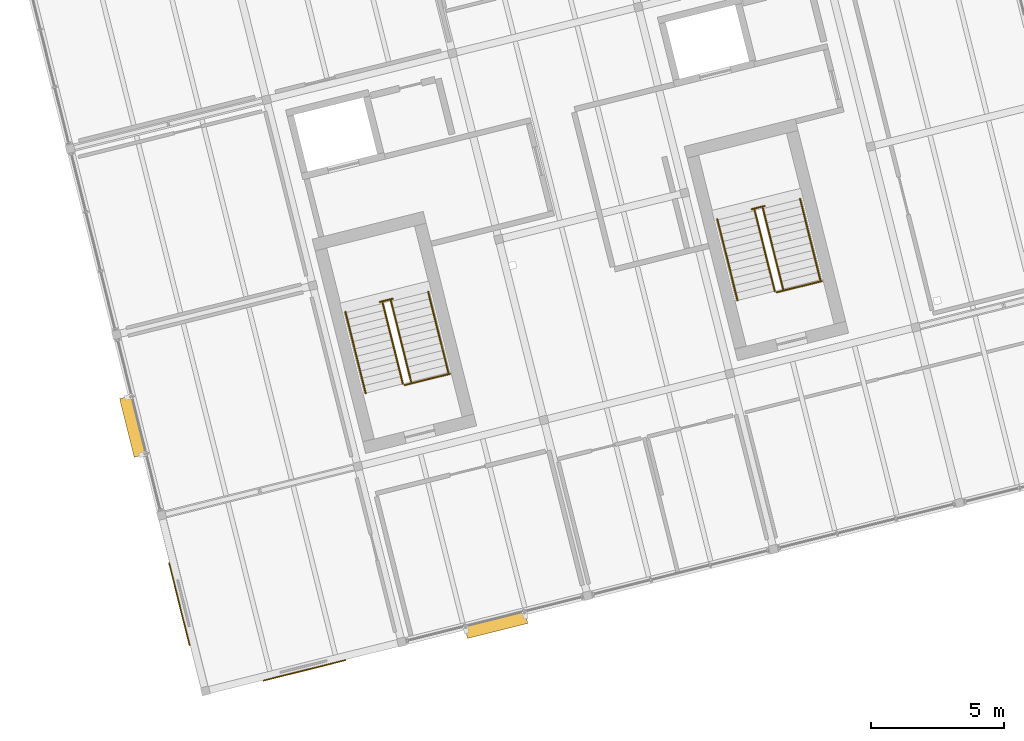
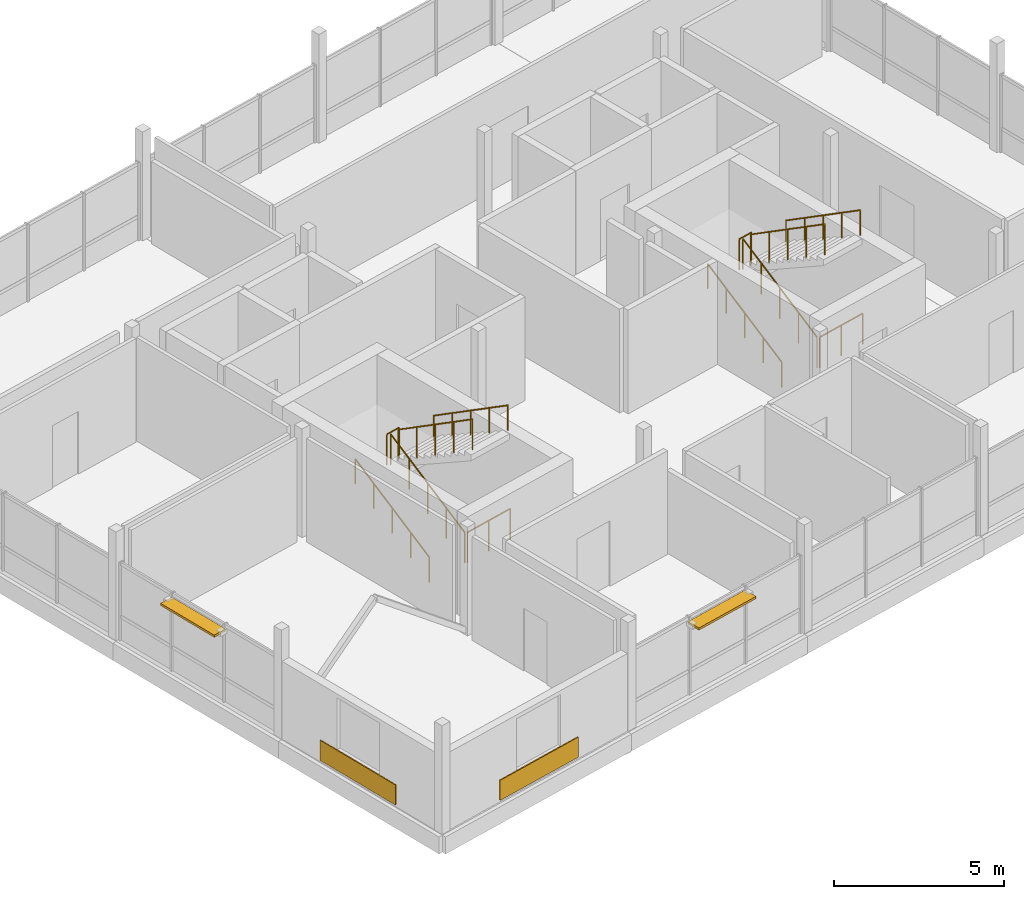
# One storey, part 25 of 25: 12 railings, 2 coverings, 2 shading devices.
"""IFC4 building model written with IfcOpenShell, lengths in metres."""

from ifc_helpers import new_model, si_unit, direction, frame, origin, origin_2d, place, context, subcontext, project, spatial, rectangle, circle, extrude, material, layer, layer_set, type_object, element, save


model = new_model("IFC4")

# Units and contexts
model_context = context("Model", 3, precision=1e-05, world=origin(), true_north=direction((0.0, 1.0)))
body_context = subcontext(model_context, "Body", "Model", "MODEL_VIEW")
ifc_project = project(units=[si_unit("LENGTHUNIT", "METRE"), si_unit("AREAUNIT", "SQUARE_METRE"), si_unit("VOLUMEUNIT", "CUBIC_METRE"), si_unit("PLANEANGLEUNIT", "RADIAN"), si_unit("MASSUNIT", "GRAM", prefix="KILO")], contexts=[model_context])

# Site, building, storey
site_placement = place(None, origin())
site = spatial("IfcSite", under=ifc_project, at=site_placement, CompositionType="ELEMENT")
building_placement = place(site_placement, origin())
building = spatial("IfcBuilding", under=site, at=building_placement, Name="Meriwether Solvik Hall", CompositionType="ELEMENT")
storey_placement = place(building_placement, frame((0.0, 0.0, 49.5)))
storey = spatial("IfcBuildingStorey", under=building, at=storey_placement, Name="L12", CompositionType="ELEMENT", Elevation=49.5)

# Coverings
ifc_material_1 = material(Name="Acetylated Charred Western Red Cedar Timber", Category="wood")
ifc_layer_1 = layer(ifc_material_1, 0.0400390625)
ifc_layer_set_1 = layer_set([ifc_layer_1], Name="Acetylated Charred Western Red Cedar Timber")
covering_type = type_object("IfcCoveringType", Name="COV-CLAD-TIMB", PredefinedType="CLADDING", material=ifc_layer_set_1)
for number, where, z_axis, x_axis, name in (
    (1, (72.323486328125, 41.973876953125, 0.080078125), (0.0, 0.0, 1.0), (-0.970295720361, -0.241921919325, 0.0), "L12 Charred Cedar Cladding 1.0"),
    (2, (67.622314453125, 44.460205078125, 0.080078125), (0.0, 0.0, 1.0), (-0.241921830705, 0.970295742456, 0.0), "L12 Charred Cedar Cladding 4.0"),
):
    element("IfcCovering", number, at=place(storey_placement, frame(where, z_axis=z_axis, x_axis=x_axis)), inside=storey, type_object=covering_type, Name=name, PredefinedType="CLADDING", context=body_context, shape_type="SweptSolid", body=[
        extrude(rectangle(XDim=3.199951171875, YDim=0.0400390625, at=origin_2d()), origin(), (0.0, 0.0, 1.0), 0.719970703125),
    ])

# Railings
ifc_material_2 = material(Name="Steel A36 Galvanised", Category="steel")
ifc_layer_2 = layer(ifc_material_2, 0.054931640625)
ifc_layer_set_2 = layer_set([ifc_layer_2], Name="Steel A36 Galvanised")
railing_type_1 = type_object("IfcRailingType", Name="RAIL-STR-GUARD", PredefinedType="GUARDRAIL", material=ifc_layer_set_2)
railing_1_placement = place(storey_placement, frame((75.158935546875, 55.81591796875, 1.949951171875)))
element("IfcRailing", 3, at=railing_1_placement, inside=storey, type_object=railing_type_1, Name="Stair ST-01 Landing Guardrail (L12)", PredefinedType="GUARDRAIL", context=body_context, shape_type="SweptSolid", body=[
    extrude(circle(Radius=0.02392578125, at=origin_2d()), frame((0.0, 0.0, 1.09619140625), z_axis=(0.970343250308, 0.241731207299, 0.0), x_axis=(-0.241731207299, 0.970343250308, 0.0)), (0.0, 0.0, 1.0), 0.5),
    extrude(circle(Radius=0.02099609375, at=origin_2d()), origin(), (0.0, 0.0, 1.0), 1.072021484375),
    extrude(circle(Radius=0.02099609375, at=origin_2d()), frame((0.485107421875, 0.120849609375, 0.0)), (0.0, 0.0, 1.0), 1.072021484375),
])
railing_2_placement = place(storey_placement, frame((76.092041015625, 52.69384765625, 0.0)))
element("IfcRailing", 4, at=railing_2_placement, inside=storey, type_object=railing_type_1, Name="Stair ST-01 Well Guardrail (L12)", PredefinedType="GUARDRAIL", context=body_context, shape_type="SweptSolid", body=[
    extrude(circle(Radius=0.02392578125, at=origin_2d()), frame((0.0, 0.0, 1.09619140625), z_axis=(0.970298223594, 0.241911879182, 0.0), x_axis=(-0.241911879182, 0.970298223594, 0.0)), (0.0, 0.0, 1.0), 1.75),
    extrude(circle(Radius=0.02099609375, at=origin_2d()), origin(), (0.0, 0.0, 1.0), 1.072021484375),
    extrude(circle(Radius=0.02099609375, at=origin_2d()), frame((0.84912109375, 0.211669921875, 0.0)), (0.0, 0.0, 1.0), 1.072021484375),
    extrude(circle(Radius=0.02099609375, at=origin_2d()), frame((1.697998046875, 0.42333984375, 0.0)), (0.0, 0.0, 1.0), 1.072021484375),
])
railing_3_placement = place(storey_placement, frame((76.019287109375, 52.737548828125, 0.0)))
element("IfcRailing", 5, at=railing_3_placement, inside=storey, type_object=railing_type_1, Name="Stair ST-01 Flight 1 Inner Guardrail (L12)", PredefinedType="GUARDRAIL", context=body_context, shape_type="SweptSolid", body=[
    extrude(circle(Radius=0.02392578125, at=origin_2d()), frame((0.0, 0.0, 1.09619140625), z_axis=(-0.205452207734, 0.823924849814, 0.528145086313), x_axis=(-0.970288906122, -0.2419492481, 0.0)), (0.0, 0.0, 1.0), 3.692138671875),
    extrude(circle(Radius=0.02099609375, at=origin_2d()), origin(), (0.0, 0.0, 1.0), 1.072021484375),
    extrude(circle(Radius=0.02099609375, at=origin_2d()), frame((-0.189697265625, 0.760498046875, 0.487548828125)), (0.0, 0.0, 1.0), 1.072021484375),
    extrude(circle(Radius=0.02099609375, at=origin_2d()), frame((-0.37939453125, 1.52099609375, 0.97509765625)), (0.0, 0.0, 1.0), 1.072021484375),
    extrude(circle(Radius=0.02099609375, at=origin_2d()), frame((-0.56884765625, 2.281494140625, 1.46240234375)), (0.0, 0.0, 1.0), 1.072021484375),
    extrude(circle(Radius=0.02099609375, at=origin_2d()), frame((-0.758544921875, 3.0419921875, 1.949951171875)), (0.0, 0.0, 1.0), 1.072021484375),
])
railing_4_placement = place(storey_placement, frame((75.5712890625, 55.85693359375, 1.949951171875)))
element("IfcRailing", 6, at=railing_4_placement, inside=storey, type_object=railing_type_1, Name="Stair ST-01 Flight 2 Inner Guardrail (L12)", PredefinedType="GUARDRAIL", context=body_context, shape_type="SweptSolid", body=[
    extrude(circle(Radius=0.02392578125, at=origin_2d()), frame((0.0, 0.0, 1.09619140625), z_axis=(0.205388872055, -0.823936041794, 0.528152260498), x_axis=(0.970307185051, 0.241875932325, 0.0)), (0.0, 0.0, 1.0), 3.692138671875),
    extrude(circle(Radius=0.02099609375, at=origin_2d()), origin(), (0.0, 0.0, 1.0), 1.072021484375),
    extrude(circle(Radius=0.02099609375, at=origin_2d()), frame((0.189453125, -0.760498046875, 0.487548828125)), (0.0, 0.0, 1.0), 1.072021484375),
    extrude(circle(Radius=0.02099609375, at=origin_2d()), frame((0.379150390625, -1.52099609375, 0.97509765625)), (0.0, 0.0, 1.0), 1.072021484375),
    extrude(circle(Radius=0.02099609375, at=origin_2d()), frame((0.56884765625, -2.281494140625, 1.46240234375)), (0.0, 0.0, 1.0), 1.072021484375),
    extrude(circle(Radius=0.02099609375, at=origin_2d()), frame((0.75830078125, -3.0419921875, 1.949951171875)), (0.0, 0.0, 1.0), 1.072021484375),
])
railing_5_placement = place(storey_placement, frame((89.131103515625, 59.299560546875, 1.949951171875)))
element("IfcRailing", 7, at=railing_5_placement, inside=storey, type_object=railing_type_1, Name="Stair ST-02 Landing Guardrail (L12)", PredefinedType="GUARDRAIL", context=body_context, shape_type="SweptSolid", body=[
    extrude(circle(Radius=0.02392578125, at=origin_2d()), frame((0.0, 0.0, 1.09619140625), z_axis=(0.970228607419, 0.242190935722, 0.0), x_axis=(-0.242190935722, 0.970228607419, 0.0)), (0.0, 0.0, 1.0), 0.5),
    extrude(circle(Radius=0.02099609375, at=origin_2d()), origin(), (0.0, 0.0, 1.0), 1.072021484375),
    extrude(circle(Radius=0.02099609375, at=origin_2d()), frame((0.485107421875, 0.12109375, 0.0)), (0.0, 0.0, 1.0), 1.072021484375),
])
railing_6_placement = place(storey_placement, frame((90.064208984375, 56.177490234375, 0.0)))
element("IfcRailing", 8, at=railing_6_placement, inside=storey, type_object=railing_type_1, Name="Stair ST-02 Well Guardrail (L12)", PredefinedType="GUARDRAIL", context=body_context, shape_type="SweptSolid", body=[
    extrude(circle(Radius=0.02392578125, at=origin_2d()), frame((0.0, 0.0, 1.09619140625), z_axis=(0.970298223594, 0.241911879182, 0.0), x_axis=(-0.241911879182, 0.970298223594, 0.0)), (0.0, 0.0, 1.0), 1.75),
    extrude(circle(Radius=0.02099609375, at=origin_2d()), origin(), (0.0, 0.0, 1.0), 1.072021484375),
    extrude(circle(Radius=0.02099609375, at=origin_2d()), frame((0.84912109375, 0.211669921875, 0.0)), (0.0, 0.0, 1.0), 1.072021484375),
    extrude(circle(Radius=0.02099609375, at=origin_2d()), frame((1.697998046875, 0.42333984375, 0.0)), (0.0, 0.0, 1.0), 1.072021484375),
])
railing_7_placement = place(storey_placement, frame((89.991455078125, 56.22119140625, 0.0)))
element("IfcRailing", 9, at=railing_7_placement, inside=storey, type_object=railing_type_1, Name="Stair ST-02 Flight 1 Inner Guardrail (L12)", PredefinedType="GUARDRAIL", context=body_context, shape_type="SweptSolid", body=[
    extrude(circle(Radius=0.02392578125, at=origin_2d()), frame((0.0, 0.0, 1.09619140625), z_axis=(-0.205452207734, 0.823924849814, 0.528145086313), x_axis=(-0.970288906122, -0.2419492481, 0.0)), (0.0, 0.0, 1.0), 3.692138671875),
    extrude(circle(Radius=0.02099609375, at=origin_2d()), origin(), (0.0, 0.0, 1.0), 1.072021484375),
    extrude(circle(Radius=0.02099609375, at=origin_2d()), frame((-0.189697265625, 0.760498046875, 0.487548828125)), (0.0, 0.0, 1.0), 1.072021484375),
    extrude(circle(Radius=0.02099609375, at=origin_2d()), frame((-0.37939453125, 1.52099609375, 0.97509765625)), (0.0, 0.0, 1.0), 1.072021484375),
    extrude(circle(Radius=0.02099609375, at=origin_2d()), frame((-0.56884765625, 2.281494140625, 1.46240234375)), (0.0, 0.0, 1.0), 1.072021484375),
    extrude(circle(Radius=0.02099609375, at=origin_2d()), frame((-0.758544921875, 3.0419921875, 1.949951171875)), (0.0, 0.0, 1.0), 1.072021484375),
])
railing_8_placement = place(storey_placement, frame((89.54345703125, 59.340576171875, 1.949951171875)))
element("IfcRailing", 10, at=railing_8_placement, inside=storey, type_object=railing_type_1, Name="Stair ST-02 Flight 2 Inner Guardrail (L12)", PredefinedType="GUARDRAIL", context=body_context, shape_type="SweptSolid", body=[
    extrude(circle(Radius=0.02392578125, at=origin_2d()), frame((0.0, 0.0, 1.09619140625), z_axis=(0.205452207734, -0.823924849814, 0.528145086313), x_axis=(0.970288906122, 0.2419492481, 0.0)), (0.0, 0.0, 1.0), 3.692138671875),
    extrude(circle(Radius=0.02099609375, at=origin_2d()), origin(), (0.0, 0.0, 1.0), 1.072021484375),
    extrude(circle(Radius=0.02099609375, at=origin_2d()), frame((0.189697265625, -0.760498046875, 0.487548828125)), (0.0, 0.0, 1.0), 1.072021484375),
    extrude(circle(Radius=0.02099609375, at=origin_2d()), frame((0.37939453125, -1.52099609375, 0.97509765625)), (0.0, 0.0, 1.0), 1.072021484375),
    extrude(circle(Radius=0.02099609375, at=origin_2d()), frame((0.56884765625, -2.281494140625, 1.46240234375)), (0.0, 0.0, 1.0), 1.072021484375),
    extrude(circle(Radius=0.02099609375, at=origin_2d()), frame((0.758544921875, -3.0419921875, 1.949951171875)), (0.0, 0.0, 1.0), 1.072021484375),
])
ifc_material_3 = material(Name="Stainless Steel AISI 316", Category="steel")
ifc_layer_3 = layer(ifc_material_3, 0.044921875)
ifc_layer_set_3 = layer_set([ifc_layer_3], Name="Stainless Steel AISI 316")
railing_type_2 = type_object("IfcRailingType", Name="RAIL-STR-HAND", PredefinedType="HANDRAIL", material=ifc_layer_set_3)
railing_9_placement = place(storey_placement, frame((74.6220703125, 52.38916015625, 0.0)))
element("IfcRailing", 11, at=railing_9_placement, inside=storey, type_object=railing_type_2, Name="Stair ST-01 Lower Handrail (L12)", PredefinedType="HANDRAIL", context=body_context, shape_type="SweptSolid", body=[
    extrude(circle(Radius=0.02392578125, at=origin_2d()), frame((0.0, 0.0, 0.89599609375), z_axis=(-0.205467106702, 0.823914517495, 0.528155408876), x_axis=(-0.970284074567, -0.241968623258, 0.0)), (0.0, 0.0, 1.0), 3.698974609375),
    extrude(circle(Radius=0.02099609375, at=origin_2d()), origin(), (0.0, 0.0, 1.0), 0.871826171875),
    extrude(circle(Radius=0.02099609375, at=origin_2d()), frame((-0.18994140625, 0.761962890625, 0.48828125)), (0.0, 0.0, 1.0), 0.871826171875),
    extrude(circle(Radius=0.02099609375, at=origin_2d()), frame((-0.3798828125, 1.52392578125, 0.976806640625)), (0.0, 0.0, 1.0), 0.871826171875),
    extrude(circle(Radius=0.02099609375, at=origin_2d()), frame((-0.570068359375, 2.28564453125, 1.46533203125)), (0.0, 0.0, 1.0), 0.871826171875),
    extrude(circle(Radius=0.02099609375, at=origin_2d()), frame((-0.760009765625, 3.047607421875, 1.95361328125)), (0.0, 0.0, 1.0), 0.871826171875),
])
railing_10_placement = place(storey_placement, frame((76.968505859375, 56.205322265625, 1.949951171875)))
element("IfcRailing", 12, at=railing_10_placement, inside=storey, type_object=railing_type_2, Name="Stair ST-01 Upper Handrail (L12)", PredefinedType="HANDRAIL", context=body_context, shape_type="SweptSolid", body=[
    extrude(circle(Radius=0.02392578125, at=origin_2d()), frame((0.0, 0.0, 0.89599609375), z_axis=(0.205403888919, -0.823925689387, 0.528162570414), x_axis=(0.970302321101, 0.241895443665, 0.0)), (0.0, 0.0, 1.0), 3.698974609375),
    extrude(circle(Radius=0.02099609375, at=origin_2d()), origin(), (0.0, 0.0, 1.0), 0.871826171875),
    extrude(circle(Radius=0.02099609375, at=origin_2d()), frame((0.18994140625, -0.761962890625, 0.48828125)), (0.0, 0.0, 1.0), 0.871826171875),
    extrude(circle(Radius=0.02099609375, at=origin_2d()), frame((0.3798828125, -1.52392578125, 0.976806640625)), (0.0, 0.0, 1.0), 0.871826171875),
    extrude(circle(Radius=0.02099609375, at=origin_2d()), frame((0.56982421875, -2.28564453125, 1.46533203125)), (0.0, 0.0, 1.0), 0.871826171875),
    extrude(circle(Radius=0.02099609375, at=origin_2d()), frame((0.759765625, -3.047607421875, 1.95361328125)), (0.0, 0.0, 1.0), 0.871826171875),
])
railing_11_placement = place(storey_placement, frame((88.59423828125, 55.872802734375, 0.0)))
element("IfcRailing", 13, at=railing_11_placement, inside=storey, type_object=railing_type_2, Name="Stair ST-02 Lower Handrail (L12)", PredefinedType="HANDRAIL", context=body_context, shape_type="SweptSolid", body=[
    extrude(circle(Radius=0.02392578125, at=origin_2d()), frame((0.0, 0.0, 0.89599609375), z_axis=(-0.205403888919, 0.823925689387, 0.528162570414), x_axis=(-0.970302321101, -0.241895443665, 0.0)), (0.0, 0.0, 1.0), 3.698974609375),
    extrude(circle(Radius=0.02099609375, at=origin_2d()), origin(), (0.0, 0.0, 1.0), 0.871826171875),
    extrude(circle(Radius=0.02099609375, at=origin_2d()), frame((-0.18994140625, 0.761962890625, 0.48828125)), (0.0, 0.0, 1.0), 0.871826171875),
    extrude(circle(Radius=0.02099609375, at=origin_2d()), frame((-0.3798828125, 1.52392578125, 0.976806640625)), (0.0, 0.0, 1.0), 0.871826171875),
    extrude(circle(Radius=0.02099609375, at=origin_2d()), frame((-0.56982421875, 2.28564453125, 1.46533203125)), (0.0, 0.0, 1.0), 0.871826171875),
    extrude(circle(Radius=0.02099609375, at=origin_2d()), frame((-0.759765625, 3.047607421875, 1.95361328125)), (0.0, 0.0, 1.0), 0.871826171875),
])
railing_12_placement = place(storey_placement, frame((90.940673828125, 59.68896484375, 1.949951171875)))
element("IfcRailing", 14, at=railing_12_placement, inside=storey, type_object=railing_type_2, Name="Stair ST-02 Upper Handrail (L12)", PredefinedType="HANDRAIL", context=body_context, shape_type="SweptSolid", body=[
    extrude(circle(Radius=0.02392578125, at=origin_2d()), frame((0.0, 0.0, 0.89599609375), z_axis=(0.205467106702, -0.823914517495, 0.528155408876), x_axis=(0.970284074567, 0.241968623258, 0.0)), (0.0, 0.0, 1.0), 3.698974609375),
    extrude(circle(Radius=0.02099609375, at=origin_2d()), origin(), (0.0, 0.0, 1.0), 0.871826171875),
    extrude(circle(Radius=0.02099609375, at=origin_2d()), frame((0.18994140625, -0.761962890625, 0.48828125)), (0.0, 0.0, 1.0), 0.871826171875),
    extrude(circle(Radius=0.02099609375, at=origin_2d()), frame((0.3798828125, -1.52392578125, 0.976806640625)), (0.0, 0.0, 1.0), 0.871826171875),
    extrude(circle(Radius=0.02099609375, at=origin_2d()), frame((0.570068359375, -2.28564453125, 1.46533203125)), (0.0, 0.0, 1.0), 0.871826171875),
    extrude(circle(Radius=0.02099609375, at=origin_2d()), frame((0.760009765625, -3.047607421875, 1.95361328125)), (0.0, 0.0, 1.0), 0.871826171875),
])

# Shading devices
ifc_material_4 = material(Name="Anodised Aluminium 6063-T6", Category="aluminium")
shading_device_type_1 = type_object("IfcShadingDeviceType", Name="SHD-LOUVRE-S", PredefinedType="SHUTTER", material=ifc_material_4)
shading_device_1_placement = place(storey_placement, frame((79.525390625, 43.6767578125, 2.530029296875), z_axis=(0.0, 0.0, 1.0), x_axis=(-0.970295730764, -0.241921877598, 0.0)))
element("IfcShadingDevice", 15, at=shading_device_1_placement, inside=storey, type_object=shading_device_type_1, Name="Solar Shading Louvre E0_B1", PredefinedType="SHUTTER", context=body_context, shape_type="SweptSolid", body=[
    extrude(rectangle(XDim=2.339111328125, YDim=0.4599609375, at=origin_2d()), origin(), (0.0, 0.0, 1.0), 0.080078125),
])
ifc_material_5 = material(Name="Anodised Aluminium 6063-T6", Category="aluminium")
shading_device_type_2 = type_object("IfcShadingDeviceType", Name="SHD-LOUVRE-W", PredefinedType="USERDEFINED", material=ifc_material_5)
shading_device_2_placement = place(storey_placement, frame((65.875244140625, 51.135986328125, 2.530029296875), z_axis=(0.0, 0.0, 1.0), x_axis=(-0.241921784185, 0.970295754055, 0.0)))
element("IfcShadingDevice", 16, at=shading_device_2_placement, inside=storey, type_object=shading_device_type_2, Name="Solar Shading Louvre E3_B1", ObjectType="LOUVER", PredefinedType="USERDEFINED", context=body_context, shape_type="SweptSolid", body=[
    extrude(rectangle(XDim=2.272216796875, YDim=0.4599609375, at=origin_2d()), origin(), (0.0, 0.0, 1.0), 0.080078125),
])

save(model, "model.ifc")
